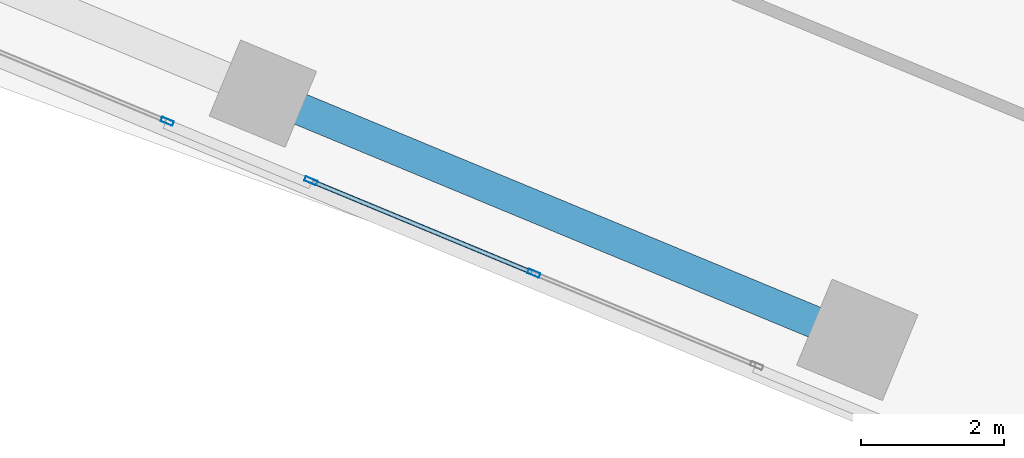
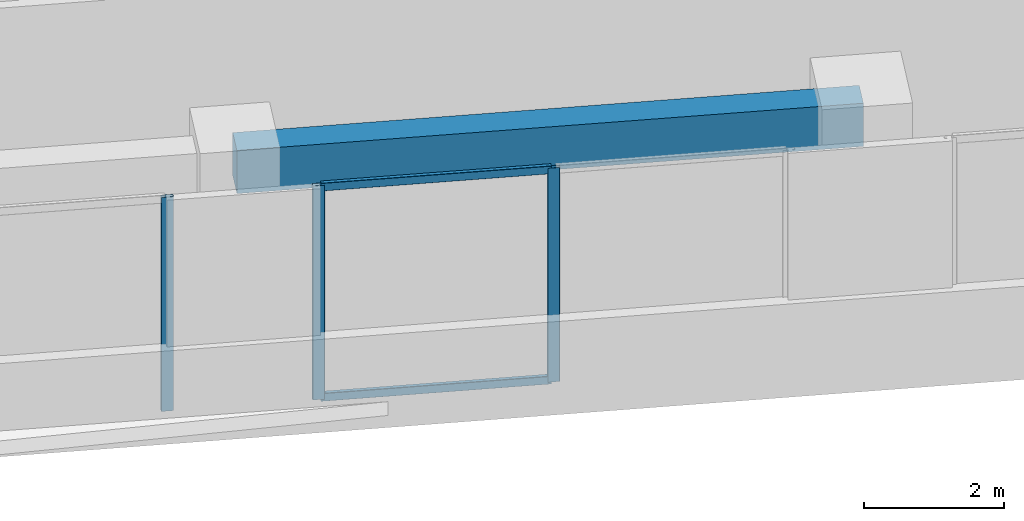
# One storey, part 2 of 24: 5 members, 1 beam, 2 elements without a shape of their own.
"""IFC4 building model written with IfcOpenShell, lengths in metres."""

from ifc_helpers import new_model, si_unit, direction, frame, origin, origin_2d, place, context, subcontext, project, spatial, rectangle, hollow_rectangle, extrude, source, transform, mapped, material, material_profile, profile_set, type_object, element, aggregate, save


model = new_model("IFC4")

# Units and contexts
model_context = context("Model", 3, precision=1e-05, world=origin(), true_north=direction((0.0, 1.0)))
body_context = subcontext(model_context, "Body", "Model", "MODEL_VIEW")
ifc_project = project(units=[si_unit("LENGTHUNIT", "METRE"), si_unit("AREAUNIT", "SQUARE_METRE"), si_unit("VOLUMEUNIT", "CUBIC_METRE"), si_unit("PLANEANGLEUNIT", "RADIAN"), si_unit("MASSUNIT", "GRAM", prefix="KILO")], contexts=[model_context])

# Site, building, storey
site_placement = place(None, origin())
site = spatial("IfcSite", under=ifc_project, at=site_placement, CompositionType="ELEMENT")
building_placement = place(site_placement, origin())
building = spatial("IfcBuilding", under=site, at=building_placement, Name="Torre Montelarca", CompositionType="ELEMENT")
storey_placement = place(building_placement, frame((0.0, 0.0, 141.39990234375)))
storey = spatial("IfcBuildingStorey", under=building, at=storey_placement, Name="L31", CompositionType="ELEMENT", Elevation=141.39990234375)

# Beam
ifc_material_1 = material(Name="Concrete C55/67", Category="concrete")
ifc_material_profile_1 = material_profile(ifc_material_1, rectangle(XDim=0.449951171875, YDim=0.75, at=origin_2d()), Name="RCB450X750", Category="concrete")
ifc_profile_set_1 = profile_set([ifc_material_profile_1], Name="Concrete C55/67")
beam_type = type_object("IfcBeamType", Name="BM-SP-RC750-EXT", PredefinedType="SPANDREL", material=ifc_profile_set_1)
shared_shape_1 = source(origin(), body_context, "Body", "SweptSolid", [
    extrude(rectangle(XDim=0.449951171875, YDim=0.75, at=origin_2d()), origin(), (0.0, 0.0, 1.0), 9.0),
])
beam_placement = place(storey_placement, frame((11.684326171875, 17.44873046875, 3.585205078125), z_axis=(0.923872679915, -0.382699975578, 0.0), x_axis=(0.382699975578, 0.923872679915, 0.0)))
element("IfcBeam", 1, at=beam_placement, inside=storey, type_object=beam_type, Name="L31 Grid Girder X 18.0-27.0 at Y=14.8", PredefinedType="SPANDREL", context=body_context, shape_type="MappedRepresentation", body=[
    mapped(shared_shape_1, transform((0.0, 0.0, 0.0), scale=1.0)),
])

# Curtain wall, member
ifc_material_2 = material(Name="Insulated low-E laminated glass", Category="glass")
curtain_wall_type = type_object("IfcCurtainWallType", Name="CW-SYS-Z2", PredefinedType="USERDEFINED", material=ifc_material_2)
curtain_wall_1_placement = place(storey_placement, origin())
curtain_wall_1 = element("IfcCurtainWall", 2, at=curtain_wall_1_placement, inside=storey, type_object=curtain_wall_type, Name="L31 Curtain Wall Run CW-T3-L31-E01-B1", ObjectType="UNITISED GLAZING", PredefinedType="USERDEFINED")
ifc_material_3 = material(Name="Anodised aluminium AA 6063-T6", Category="aluminium")
ifc_material_profile_2 = material_profile(ifc_material_3, hollow_rectangle(XDim=0.06494140625, YDim=0.179931640625, WallThickness=0.00390625, InnerFilletRadius=0.00390625, OuterFilletRadius=0.008056640625, at=origin_2d()), Name="ALU65X180X4", Category="aluminium")
ifc_profile_set_2 = profile_set([ifc_material_profile_2], Name="Anodised aluminium AA 6063-T6")
member_type_1 = type_object("IfcMemberType", Name="CWM-ALU180", PredefinedType="MULLION", material=ifc_profile_set_2)
shared_shape_2 = source(origin(), body_context, "Body", "SweptSolid", [
    extrude(hollow_rectangle(XDim=0.06494140625, YDim=0.179931640625, WallThickness=0.00390625, InnerFilletRadius=0.00390625, OuterFilletRadius=0.008056640625, at=origin_2d()), origin(), (0.0, 0.0, 1.0), 3.72021484375),
])
member_1_placement = place(storey_placement, frame((10.3466796875, 17.06103515625, 0.0), z_axis=(0.0, 0.0, 1.0), x_axis=(0.382691483643, 0.923876197522, 0.0)))
member_1 = element("IfcMember", 3, at=member_1_placement, type_object=member_type_1, Name="CW mullion 3", PredefinedType="MULLION", context=body_context, shape_type="MappedRepresentation", body=[
    mapped(shared_shape_2, transform((0.0, 0.0, 0.0), scale=1.0)),
])
aggregate(curtain_wall_1, [member_1])

# Curtain wall, members
curtain_wall_2_placement = place(storey_placement, origin())
curtain_wall_2 = element("IfcCurtainWall", 4, at=curtain_wall_2_placement, inside=storey, type_object=curtain_wall_type, Name="L31 Curtain Wall Run CW-T3-L31-E01-B2", ObjectType="UNITISED GLAZING", PredefinedType="USERDEFINED")
member_2_placement = place(storey_placement, frame((12.35595703125, 16.228759765625, 0.0), z_axis=(0.0, 0.0, 1.0), x_axis=(0.382681822616, 0.92388019929, 0.0)))
member_2 = element("IfcMember", 5, at=member_2_placement, type_object=member_type_1, Name="CW mullion 1", PredefinedType="MULLION", context=body_context, shape_type="MappedRepresentation", body=[
    mapped(shared_shape_2, transform((0.0, 0.0, 0.0), scale=1.0)),
])
member_3_placement = place(storey_placement, frame((15.47412109375, 14.93701171875, 0.0), z_axis=(0.0, 0.0, 1.0), x_axis=(0.382681822616, 0.92388019929, 0.0)))
member_3 = element("IfcMember", 6, at=member_3_placement, type_object=member_type_1, Name="CW mullion 2", PredefinedType="MULLION", context=body_context, shape_type="MappedRepresentation", body=[
    mapped(shared_shape_2, transform((0.0, 0.0, 0.0), scale=1.0)),
])
ifc_material_profile_3 = material_profile(ifc_material_3, hollow_rectangle(XDim=0.06494140625, YDim=0.139892578125, WallThickness=0.00390625, InnerFilletRadius=0.00390625, OuterFilletRadius=0.008056640625, at=origin_2d()), Name="ALU65X140X4", Category="aluminium")
ifc_profile_set_3 = profile_set([ifc_material_profile_3], Name="Anodised aluminium AA 6063-T6")
member_type_2 = type_object("IfcMemberType", Name="CWT-ALU140", PredefinedType="USERDEFINED", material=ifc_profile_set_3)
shared_shape_3 = source(origin(), body_context, "Body", "SweptSolid", [
    extrude(hollow_rectangle(XDim=0.06494140625, YDim=0.139892578125, WallThickness=0.00390625, InnerFilletRadius=0.00390625, OuterFilletRadius=0.008056640625, at=origin_2d()), origin(), (0.0, 0.0, 1.0), 3.31005859375),
])
member_4_placement = place(storey_placement, frame((12.385986328125, 16.21630859375, 0.03271484375), z_axis=(0.923864905006, -0.382718744378, 0.0), x_axis=(0.382718744378, 0.923864905006, 0.0)))
member_4 = element("IfcMember", 7, at=member_4_placement, type_object=member_type_2, Name="CW transom 1.1", ObjectType="TRANSOM", PredefinedType="USERDEFINED", context=body_context, shape_type="MappedRepresentation", body=[
    mapped(shared_shape_3, transform((0.0, 0.0, 0.0), scale=1.0)),
])
member_5_placement = place(storey_placement, frame((12.385986328125, 16.21630859375, 3.6875), z_axis=(0.923864905006, -0.382718744378, 0.0), x_axis=(0.382718744378, 0.923864905006, 0.0)))
member_5 = element("IfcMember", 8, at=member_5_placement, type_object=member_type_2, Name="CW transom 1.2", ObjectType="TRANSOM", PredefinedType="USERDEFINED", context=body_context, shape_type="MappedRepresentation", body=[
    mapped(shared_shape_3, transform((0.0, 0.0, 0.0), scale=1.0)),
])
aggregate(curtain_wall_2, [member_2, member_3, member_4, member_5])

save(model, "model.ifc")
